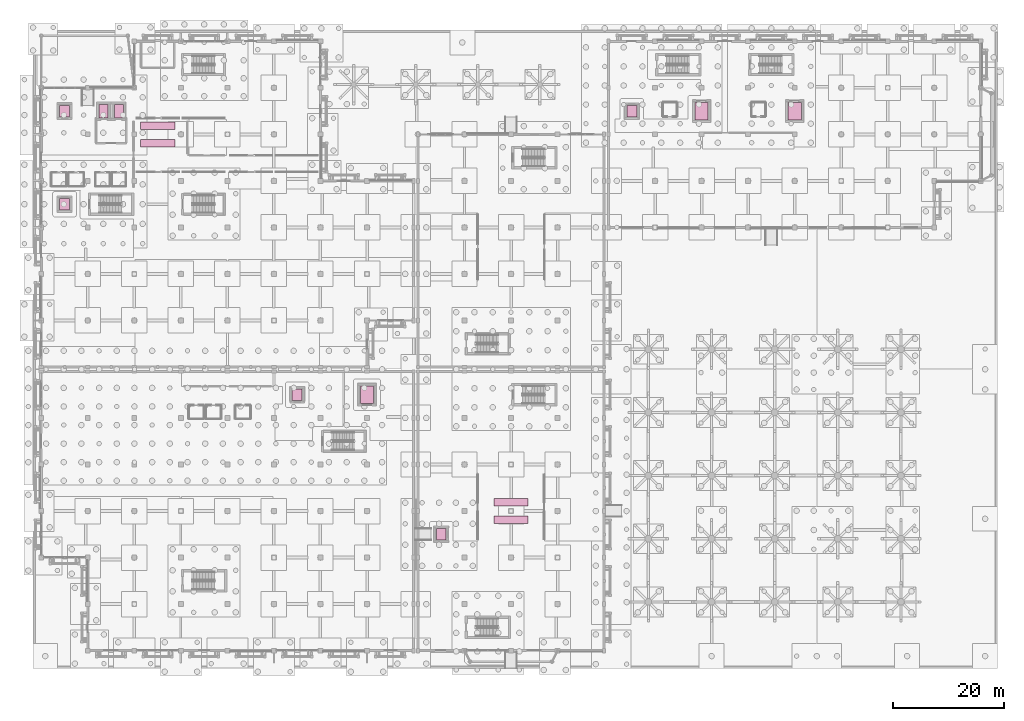
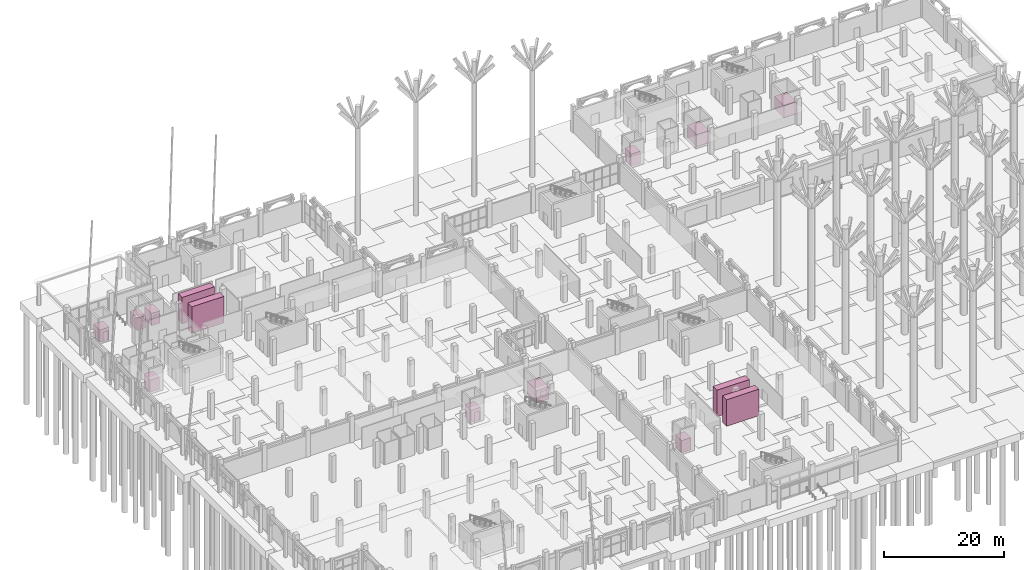
# One storey, part 98 of 98: 14 transport elements.
"""IFC4 building model written with IfcOpenShell, lengths in metres."""

from ifc_helpers import new_model, si_unit, direction, frame, origin, origin_2d, place, context, subcontext, project, spatial, rectangle, extrude, material, type_object, element, save


model = new_model("IFC4")

# Units and contexts
model_context = context("Model", 3, precision=1e-05, world=origin(), true_north=direction((0.0, 1.0)))
body_context = subcontext(model_context, "Body", "Model", "MODEL_VIEW")
ifc_project = project(units=[si_unit("LENGTHUNIT", "METRE"), si_unit("AREAUNIT", "SQUARE_METRE"), si_unit("VOLUMEUNIT", "CUBIC_METRE"), si_unit("PLANEANGLEUNIT", "RADIAN"), si_unit("MASSUNIT", "GRAM", prefix="KILO")], contexts=[model_context])

# Site, building, storey
site_placement = place(None, origin())
site = spatial("IfcSite", under=ifc_project, at=site_placement, CompositionType="ELEMENT")
building_placement = place(site_placement, origin())
building = spatial("IfcBuilding", under=site, at=building_placement, Name="Xazarin Passage Department Store", CompositionType="ELEMENT")
storey_placement = place(building_placement, origin())
storey = spatial("IfcBuildingStorey", under=building, at=storey_placement, Name="L00", CompositionType="ELEMENT", Elevation=0.0)

# Transport elements
ifc_material = material(Name="Steel S355", Category="steel")
transport_element_type_1 = type_object("IfcTransportElementType", Name="ARC-TR-ESC1000", PredefinedType="ESCALATOR", material=ifc_material)
for number, where, z_axis, x_axis, name in (
    (1, (21.0, 91.60009765625, 0.0), (0.0, 0.0, 1.0), (1.0, 0.0, 0.0), "L00 Escalator ES01"),
    (2, (21.0, 94.800048828125, 0.0), (0.0, 0.0, 1.0), (1.0, 0.0, 0.0), "L00 Escalator ES02"),
    (3, (84.800048828125, 23.60009765625, 0.0), (0.0, 0.0, 1.0), (1.0, 0.0, 0.0), "L00 Escalator ES15"),
    (4, (84.800048828125, 26.800048828125, 0.0), (0.0, 0.0, 1.0), (1.0, 0.0, 0.0), "L00 Escalator ES16"),
):
    element("IfcTransportElement", number, at=place(storey_placement, frame(where, z_axis=z_axis, x_axis=x_axis)), inside=storey, type_object=transport_element_type_1, Name=name, PredefinedType="ESCALATOR", context=body_context, shape_type="SweptSolid", body=[
        extrude(rectangle(XDim=6.199951171875, YDim=1.35009765625, at=origin_2d()), origin(), (0.0, 0.0, 1.0), 5.39990234375),
    ])
transport_element_type_2 = type_object("IfcTransportElementType", Name="ARC-TR-FF1600", PredefinedType="ELEVATOR", material=ifc_material)
for number, where, z_axis, x_axis, name in (
    (5, (11.199951171875, 97.39990234375, 0.0), (0.0, 0.0, 1.0), (1.0, 0.0, 0.0), "Lift FL1 Car"),
    (6, (14.0, 97.39990234375, 0.0), (0.0, 0.0, 1.0), (1.0, 0.0, 0.0), "Lift FL2 Car"),
):
    element("IfcTransportElement", number, at=place(storey_placement, frame(where, z_axis=z_axis, x_axis=x_axis)), inside=storey, type_object=transport_element_type_2, Name=name, PredefinedType="ELEVATOR", context=body_context, shape_type="SweptSolid", body=[
        extrude(rectangle(XDim=1.60009765625, YDim=2.39990234375, at=origin_2d()), origin(), (0.0, 0.0, 1.0), 2.5),
    ])
transport_element_type_3 = type_object("IfcTransportElementType", Name="ARC-TR-GDS3500", PredefinedType="ELEVATOR", material=ifc_material)
for number, where, z_axis, x_axis, name in (
    (7, (119.199951171875, 97.39990234375, 0.0), (0.0, 0.0, 1.0), (1.0, 0.0, 0.0), "Lift GL1 Car"),
    (8, (136.0, 97.39990234375, 0.0), (0.0, 0.0, 1.0), (1.0, 0.0, 0.0), "Lift GL2 Car"),
    (9, (58.800048828125, 46.199951171875, 0.0), (0.0, 0.0, 1.0), (1.0, 0.0, 0.0), "Lift GL3 Car"),
):
    element("IfcTransportElement", number, at=place(storey_placement, frame(where, z_axis=z_axis, x_axis=x_axis)), inside=storey, type_object=transport_element_type_3, Name=name, PredefinedType="ELEVATOR", context=body_context, shape_type="SweptSolid", body=[
        extrude(rectangle(XDim=2.39990234375, YDim=3.199951171875, at=origin_2d()), origin(), (0.0, 0.0, 1.0), 2.5),
    ])
transport_element_type_4 = type_object("IfcTransportElementType", Name="ARC-TR-PAX1600", PredefinedType="ELEVATOR", material=ifc_material)
for number, where, z_axis, x_axis, name in (
    (10, (4.199951171875, 80.60009765625, 0.0), (0.0, 0.0, 1.0), (1.0, 0.0, 0.0), "Lift PL1 Car"),
    (11, (4.199951171875, 97.39990234375, 0.0), (0.0, 0.0, 1.0), (1.0, 0.0, 0.0), "Lift PL2 Car"),
    (12, (72.199951171875, 21.0, 0.0), (0.0, 0.0, 1.0), (1.0, 0.0, 0.0), "Lift PL3 Car"),
    (13, (46.199951171875, 46.199951171875, 0.0), (0.0, 0.0, 1.0), (1.0, 0.0, 0.0), "Lift PL4 Car"),
    (14, (106.60009765625, 97.39990234375, 0.0), (0.0, 0.0, 1.0), (1.0, 0.0, 0.0), "Lift PL5 Car"),
):
    element("IfcTransportElement", number, at=place(storey_placement, frame(where, z_axis=z_axis, x_axis=x_axis)), inside=storey, type_object=transport_element_type_4, Name=name, PredefinedType="ELEVATOR", context=body_context, shape_type="SweptSolid", body=[
        extrude(rectangle(XDim=1.800048828125, YDim=2.10009765625, at=origin_2d()), origin(), (0.0, 0.0, 1.0), 2.5),
    ])

save(model, "model.ifc")
